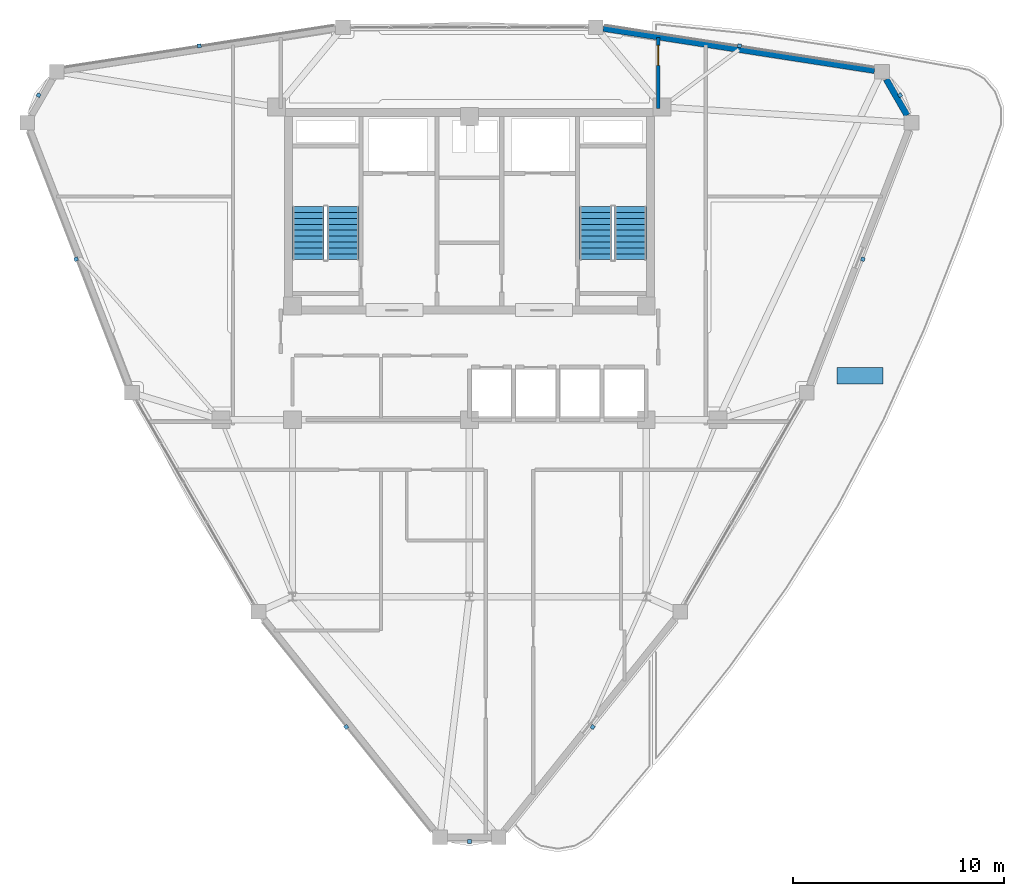
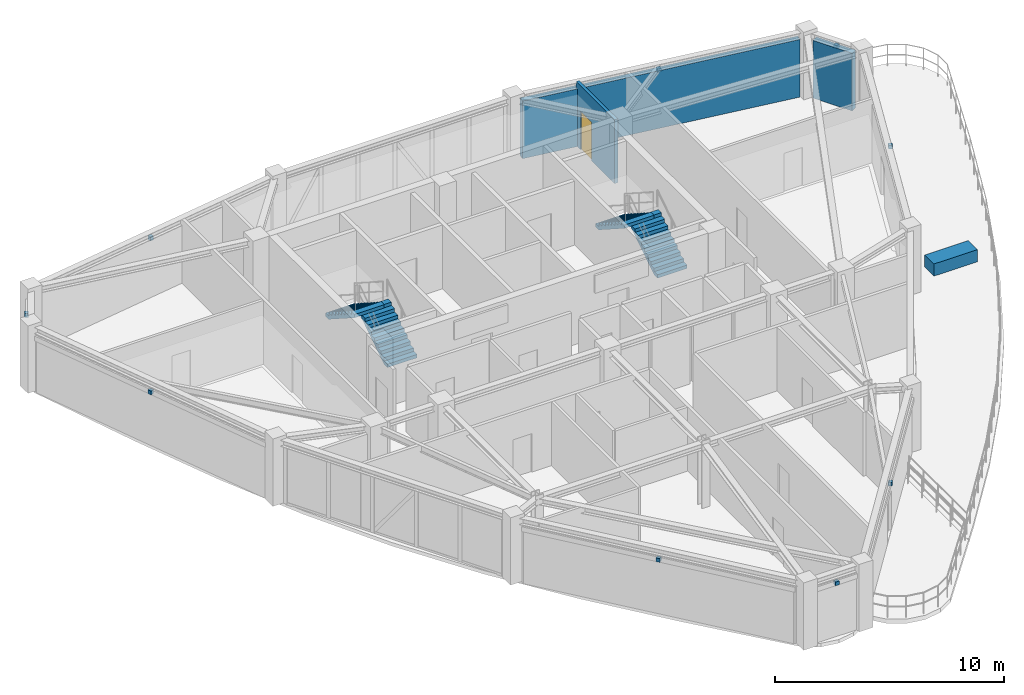
# One storey, part 13 of 16: 10 discrete accessories, 4 stair flights, 3 walls, 1 door, 1 opening, 2 elements without a shape of their own.
"""IFC4 building model written with IfcOpenShell, lengths in metres."""

from ifc_helpers import new_model, si_unit, derived_unit, direction, frame, frame_2d, origin, origin_2d, place, context, subcontext, project, spatial, polyline, rectangle, outline, extrude, source, transform, mapped, material, layer, layer_set, type_object, element, fill, aggregate, save


model = new_model("IFC4")

# Units and contexts
model_context = context("Model", 3, precision=1e-05, world=origin(), true_north=direction((0.0, 1.0)))
body_context = subcontext(model_context, "Body", "Model", "MODEL_VIEW")
ifc_project = project(units=[si_unit("LENGTHUNIT", "METRE"), si_unit("AREAUNIT", "SQUARE_METRE"), si_unit("VOLUMEUNIT", "CUBIC_METRE"), si_unit("PLANEANGLEUNIT", "RADIAN"), si_unit("MASSUNIT", "GRAM", prefix="KILO"), derived_unit("THERMALTRANSMITTANCEUNIT", [(si_unit("POWERUNIT", "WATT"), 1), (si_unit("LENGTHUNIT", "METRE"), -2), (si_unit("THERMODYNAMICTEMPERATUREUNIT", "KELVIN"), -1)])], contexts=[model_context])

# Site, building, storey
site_placement = place(None, origin())
site = spatial("IfcSite", under=ifc_project, at=site_placement, CompositionType="ELEMENT")
building_placement = place(site_placement, origin())
building = spatial("IfcBuilding", under=site, at=building_placement, Name="Korsvarv Bourse and Concert Hall", CompositionType="ELEMENT")
storey_placement = place(building_placement, frame((0.0, 0.0, 243.0)))
storey = spatial("IfcBuildingStorey", under=building, at=storey_placement, Name="L63", CompositionType="ELEMENT", Elevation=243.0)

# Walls
ifc_material_1 = material(Name="Precast concrete C45/55 with terracotta rainscreen", Category="concrete")
ifc_layer_1 = layer(ifc_material_1, 0.300048828125)
ifc_layer_set_1 = layer_set([ifc_layer_1], Name="Precast concrete C45/55 with terracotta rainscreen")
wall_type_1 = type_object("IfcWallType", Name="WL-EXT-TC1", PredefinedType="SOLIDWALL", material=ifc_layer_set_1)
wall_1_placement = place(storey_placement, frame((56.78271484375, 46.858642578125, 0.0), z_axis=(0.0, 0.0, 1.0), x_axis=(-0.499915072674, 0.866074431047, 0.0)))
element("IfcWall", 1, at=wall_1_placement, inside=storey, type_object=wall_type_1, Name="L63 terracotta exterior wall EW-L63-B01", PredefinedType="SOLIDWALL", context=body_context, shape_type="SweptSolid", body=[
    extrude(rectangle(XDim=1.974853515625, YDim=0.300048828125, at=frame_2d((0.9873046875, 0.0))), origin(), (0.0, 0.0, 1.0), 3.080078125),
])
ifc_material_2 = material(Name="Precast concrete C45/55 with fluted terracotta pier", Category="concrete")
ifc_layer_2 = layer(ifc_material_2, 0.280029296875)
ifc_layer_set_2 = layer_set([ifc_layer_2], Name="Precast concrete C45/55 with fluted terracotta pier")
wall_type_2 = type_object("IfcWallType", Name="WL-EXT-TC2", PredefinedType="SOLIDWALL", material=ifc_layer_set_2)
wall_2_placement = place(storey_placement, frame((55.2353515625, 48.979248046875, 0.0), z_axis=(0.0, 0.0, 1.0), x_axis=(-0.988170476673, 0.153359411293, 0.0)))
element("IfcWall", 2, at=wall_2_placement, inside=storey, type_object=wall_type_2, Name="L63 terracotta exterior wall EW-L63-B02", PredefinedType="SOLIDWALL", context=body_context, shape_type="SweptSolid", body=[
    extrude(rectangle(XDim=13.030029296875, YDim=0.280029296875, at=frame_2d((6.51513671875, 0.0))), origin(), (0.0, 0.0, 1.0), 3.080078125),
])

# Wall, opening, door
ifc_material_3 = material(Name="Double-stud fire-rated acoustic partition", Category="gypsum")
ifc_layer_3 = layer(ifc_material_3, 0.159912109375)
ifc_layer_set_3 = layer_set([ifc_layer_3], Name="Double-stud fire-rated acoustic partition")
wall_type_3 = type_object("IfcWallType", Name="WL-INT-EI60", PredefinedType="PARTITIONING", material=ifc_layer_set_3)
wall_3_placement = place(storey_placement, frame((44.965087890625, 47.179931640625, 0.0), z_axis=(0.0, 0.0, 1.0), x_axis=(0.0, 1.0, 0.0)))
wall_3 = element("IfcWall", 3, at=wall_3_placement, inside=storey, type_object=wall_type_3, Name="L63 interior partition wall W-L63-TCOR-09", PredefinedType="PARTITIONING", context=body_context, shape_type="SweptSolid", body=[
    extrude(rectangle(XDim=3.373291015625, YDim=0.159912109375, at=frame_2d((1.6865234375, 0.0))), origin(), (0.0, 0.0, 1.0), 3.409912109375),
])
opening_placement = place(wall_3_placement, frame((2.043212890625, 0.0, 0.0)))
opening = element("IfcOpeningElement", 4, at=opening_placement, cuts=wall_3, Name="Opening D-02", PredefinedType="OPENING", context=body_context, shape_type="SweptSolid", body=[
    extrude(rectangle(XDim=0.949951171875, YDim=2.050048828125, at=frame_2d((0.47509765625, 1.02490234375))), frame((0.0, 0.08984375, 0.0), z_axis=(0.0, -1.0, 0.0), x_axis=(1.0, 0.0, 0.0)), (0.0, 0.0, 1.0), 0.179931640625),
])
ifc_material_4 = material(Name="Timber and steel acoustic fire door", Category="wood")
door_type = type_object("IfcDoorType", Name="DR-FD30", OperationType="NOTDEFINED", PredefinedType="DOOR", material=ifc_material_4)
door_placement = place(opening_placement, origin())
door = element("IfcDoor", 5, at=door_placement, inside=storey, type_object=door_type, Name="L63 interior door DR-L63-TCOR-PR65", OperationType="SINGLE_SWING_RIGHT", OverallHeight=2.050048828125, OverallWidth=0.949951171875, PredefinedType="DOOR", context=body_context, shape_type="SweptSolid", body=[
    extrude(rectangle(XDim=0.949951171875, YDim=2.050048828125, at=frame_2d((0.47509765625, 1.02490234375))), frame((0.0, 0.02490234375, 0.0), z_axis=(0.0, -1.0, 0.0), x_axis=(1.0, 0.0, 0.0)), (0.0, 0.0, 1.0), 0.050048828125),
])
fill(opening, door)

# Stair, stair flights
ifc_material_5 = material(Name="Precast concrete C45/55", Category="concrete")
stair_type = type_object("IfcStairType", Name="STR-TYPE-04", PredefinedType="HALF_TURN_STAIR", material=ifc_material_5)
stair_1_placement = place(storey_placement, origin())
stair_1 = element("IfcStair", 6, at=stair_1_placement, inside=storey, type_object=stair_type, Name="L63 Tower West Exit Stair ST-T1", PredefinedType="HALF_TURN_STAIR")
stair_flight_type = type_object("IfcStairFlightType", Name="FLT-TYPE-04", PredefinedType="STRAIGHT", material=ifc_material_5)
stair_flight_1_placement = place(storey_placement, frame((30.010009765625, 40.0, 0.0), z_axis=(0.0, 0.0, 1.0), x_axis=(0.0, 1.0, 0.0)))
stair_flight_1 = element("IfcStairFlight", 7, at=stair_flight_1_placement, type_object=stair_flight_type, Name="ST-T1 flight 1", NumberOfRisers=10, NumberOfTreads=9, PredefinedType="STRAIGHT", RiserHeight=0.18, TreadLength=0.28, context=body_context, shape_type="SweptSolid", body=[
    extrude(outline(polyline([(0.0, 0.0), (0.0, 0.179931640625), (0.280029296875, 0.179931640625), (0.280029296875, 0.360107421875), (0.56005859375, 0.360107421875), (0.56005859375, 0.5400390625), (0.840087890625, 0.5400390625), (0.840087890625, 0.719970703125), (1.1201171875, 0.719970703125), (1.1201171875, 0.89990234375), (1.39990234375, 0.89990234375), (1.39990234375, 1.080078125), (1.679931640625, 1.080078125), (1.679931640625, 1.260009765625), (1.9599609375, 1.260009765625), (1.9599609375, 1.43994140625), (2.239990234375, 1.43994140625), (2.239990234375, 1.6201171875), (2.52001953125, 1.6201171875), (2.52001953125, 1.800048828125), (2.52001953125, 1.44189453125), (0.277099609375, 0.0), (0.0, 0.0)])), frame((0.0, 0.75, 0.0), z_axis=(0.0, -1.0, 0.0), x_axis=(1.0, 0.0, 0.0)), (0.0, 0.0, 1.0), 1.5),
])
stair_flight_2_placement = place(storey_placement, frame((28.35009765625, 42.52001953125, 1.800048828125), z_axis=(0.0, 0.0, 1.0), x_axis=(0.0, -1.0, 0.0)))
stair_flight_2 = element("IfcStairFlight", 8, at=stair_flight_2_placement, type_object=stair_flight_type, Name="ST-T1 flight 2", NumberOfRisers=10, NumberOfTreads=9, PredefinedType="STRAIGHT", RiserHeight=0.18, TreadLength=0.28, context=body_context, shape_type="SweptSolid", body=[
    extrude(outline(polyline([(0.0, 0.0), (0.0, 0.179931640625), (0.280029296875, 0.179931640625), (0.280029296875, 0.360107421875), (0.56005859375, 0.360107421875), (0.56005859375, 0.5400390625), (0.840087890625, 0.5400390625), (0.840087890625, 0.719970703125), (1.1201171875, 0.719970703125), (1.1201171875, 0.89990234375), (1.39990234375, 0.89990234375), (1.39990234375, 1.080078125), (1.679931640625, 1.080078125), (1.679931640625, 1.260009765625), (1.9599609375, 1.260009765625), (1.9599609375, 1.43994140625), (2.239990234375, 1.43994140625), (2.239990234375, 1.6201171875), (2.52001953125, 1.6201171875), (2.52001953125, 1.800048828125), (2.52001953125, 1.44189453125), (0.277099609375, 0.0), (0.0, 0.0)])), frame((0.0, 0.75, 0.0), z_axis=(0.0, -1.0, 0.0), x_axis=(1.0, 0.0, 0.0)), (0.0, 0.0, 1.0), 1.5),
])
aggregate(stair_1, [stair_flight_1, stair_flight_2])

stair_2_placement = place(storey_placement, origin())
stair_2 = element("IfcStair", 9, at=stair_2_placement, inside=storey, type_object=stair_type, Name="L63 Tower East Exit Stair ST-T2", PredefinedType="HALF_TURN_STAIR")
stair_flight_3_placement = place(storey_placement, frame((43.64990234375, 40.0, 0.0), z_axis=(0.0, 0.0, 1.0), x_axis=(0.0, 1.0, 0.0)))
stair_flight_3 = element("IfcStairFlight", 10, at=stair_flight_3_placement, type_object=stair_flight_type, Name="ST-T2 flight 1", NumberOfRisers=10, NumberOfTreads=9, PredefinedType="STRAIGHT", RiserHeight=0.18, TreadLength=0.28, context=body_context, shape_type="SweptSolid", body=[
    extrude(outline(polyline([(0.0, 0.0), (0.0, 0.179931640625), (0.280029296875, 0.179931640625), (0.280029296875, 0.360107421875), (0.56005859375, 0.360107421875), (0.56005859375, 0.5400390625), (0.840087890625, 0.5400390625), (0.840087890625, 0.719970703125), (1.1201171875, 0.719970703125), (1.1201171875, 0.89990234375), (1.39990234375, 0.89990234375), (1.39990234375, 1.080078125), (1.679931640625, 1.080078125), (1.679931640625, 1.260009765625), (1.9599609375, 1.260009765625), (1.9599609375, 1.43994140625), (2.239990234375, 1.43994140625), (2.239990234375, 1.6201171875), (2.52001953125, 1.6201171875), (2.52001953125, 1.800048828125), (2.52001953125, 1.44189453125), (0.277099609375, 0.0), (0.0, 0.0)])), frame((0.0, 0.75, 0.0), z_axis=(0.0, -1.0, 0.0), x_axis=(1.0, 0.0, 0.0)), (0.0, 0.0, 1.0), 1.5),
])
stair_flight_4_placement = place(storey_placement, frame((41.989990234375, 42.52001953125, 1.800048828125), z_axis=(0.0, 0.0, 1.0), x_axis=(0.0, -1.0, 0.0)))
stair_flight_4 = element("IfcStairFlight", 11, at=stair_flight_4_placement, type_object=stair_flight_type, Name="ST-T2 flight 2", NumberOfRisers=10, NumberOfTreads=9, PredefinedType="STRAIGHT", RiserHeight=0.18, TreadLength=0.28, context=body_context, shape_type="SweptSolid", body=[
    extrude(outline(polyline([(0.0, 0.0), (0.0, 0.179931640625), (0.280029296875, 0.179931640625), (0.280029296875, 0.360107421875), (0.56005859375, 0.360107421875), (0.56005859375, 0.5400390625), (0.840087890625, 0.5400390625), (0.840087890625, 0.719970703125), (1.1201171875, 0.719970703125), (1.1201171875, 0.89990234375), (1.39990234375, 0.89990234375), (1.39990234375, 1.080078125), (1.679931640625, 1.080078125), (1.679931640625, 1.260009765625), (1.9599609375, 1.260009765625), (1.9599609375, 1.43994140625), (2.239990234375, 1.43994140625), (2.239990234375, 1.6201171875), (2.52001953125, 1.6201171875), (2.52001953125, 1.800048828125), (2.52001953125, 1.44189453125), (0.277099609375, 0.0), (0.0, 0.0)])), frame((0.0, 0.75, 0.0), z_axis=(0.0, -1.0, 0.0), x_axis=(1.0, 0.0, 0.0)), (0.0, 0.0, 1.0), 1.5),
])
aggregate(stair_2, [stair_flight_3, stair_flight_4])

# Discrete accessories
ifc_material_6 = material(Name="Stainless Steel S355 facade outrigger bracket", Category="steel")
discrete_accessory_type_1 = type_object("IfcDiscreteAccessoryType", Name="ACC-BRK-1", PredefinedType="BRACKET", material=ifc_material_6)
shared_shape_1 = source(origin(), body_context, "Body", "SweptSolid", [
    extrude(rectangle(XDim=0.179931640625, YDim=0.179931640625, at=origin_2d()), origin(), (0.0, 0.0, 1.0), 0.199951171875),
])
for number, where, z_axis, x_axis, name in (
    (12, (56.45361328125, 47.808837890625, 2.81982421875), (0.0, 0.0, 1.0), (-0.5, 0.866025403784, 0.0), "L63 terracotta sunshade bracket EW-L63-B01"),
    (13, (48.824951171875, 50.15625, 2.81982421875), (0.0, 0.0, 1.0), (-0.98817491911, 0.153330783737, 0.0), "L63 terracotta sunshade bracket EW-L63-B02"),
    (14, (23.175048828125, 50.15625, 2.81982421875), (0.0, 0.0, 1.0), (-0.98817491911, -0.153330783737, 0.0), "L63 terracotta sunshade bracket EW-L63-B04"),
    (15, (15.54638671875, 47.808837890625, 2.81982421875), (0.0, 0.0, 1.0), (-0.5, -0.866025403784, 0.0), "L63 terracotta sunshade bracket EW-L63-B05"),
    (16, (17.327880859375, 40.028564453125, 2.7900390625), (0.0, 0.0, 1.0), (0.361299105657, -0.932449975201, 0.0), "L63 terracotta sunshade bracket EW-L63-B06"),
    (17, (30.15283203125, 17.815185546875, 2.81982421875), (0.0, 0.0, 1.0), (0.626875813454, -0.779119191464, 0.0), "L63 terracotta sunshade bracket EW-L63-B08"),
    (18, (36.0, 12.382080078125, 2.81982421875), (0.0, 0.0, 1.0), (1.0, 0.0, 0.0), "L63 terracotta sunshade bracket EW-L63-B09"),
    (19, (41.85498046875, 17.808837890625, 2.7900390625), (0.0, 0.0, 1.0), (0.626875813454, 0.779119191464, 0.0), "L63 terracotta sunshade bracket EW-L63-B10"),
    (20, (54.681396484375, 40.02490234375, 2.81982421875), (0.0, 0.0, 1.0), (0.361299105657, 0.932449975201, 0.0), "L63 terracotta sunshade bracket EW-L63-B12"),
):
    element("IfcDiscreteAccessory", number, at=place(storey_placement, frame(where, z_axis=z_axis, x_axis=x_axis)), inside=storey, type_object=discrete_accessory_type_1, Name=name, PredefinedType="BRACKET", context=body_context, shape_type="MappedRepresentation", body=[
        mapped(shared_shape_1, transform((0.0, 0.0, 0.0), scale=1.0)),
    ])
ifc_material_7 = material(Name="Architectural precast concrete C45/55 with terracotta facing", Category="concrete")
discrete_accessory_type_2 = type_object("IfcDiscreteAccessoryType", Name="ACC-PLN-1", PredefinedType="USERDEFINED", material=ifc_material_7)
shared_shape_2 = source(origin(), body_context, "Body", "SweptSolid", [
    extrude(rectangle(XDim=2.199951171875, YDim=0.800048828125, at=origin_2d()), origin(), (0.0, 0.0, 1.0), 0.64990234375),
])
discrete_accessory_placement = place(storey_placement, frame((54.550048828125, 34.487548828125, 0.0), z_axis=(0.0, 0.0, 1.0), x_axis=(1.0, 0.0, 0.0)))
element("IfcDiscreteAccessory", 21, at=discrete_accessory_placement, inside=storey, type_object=discrete_accessory_type_2, Name="L63 landscaped terracotta planter 1", ObjectType="PLANTER", PredefinedType="USERDEFINED", context=body_context, shape_type="MappedRepresentation", body=[
    mapped(shared_shape_2, transform((0.0, 0.0, 0.0), scale=1.0)),
])

save(model, "model.ifc")
